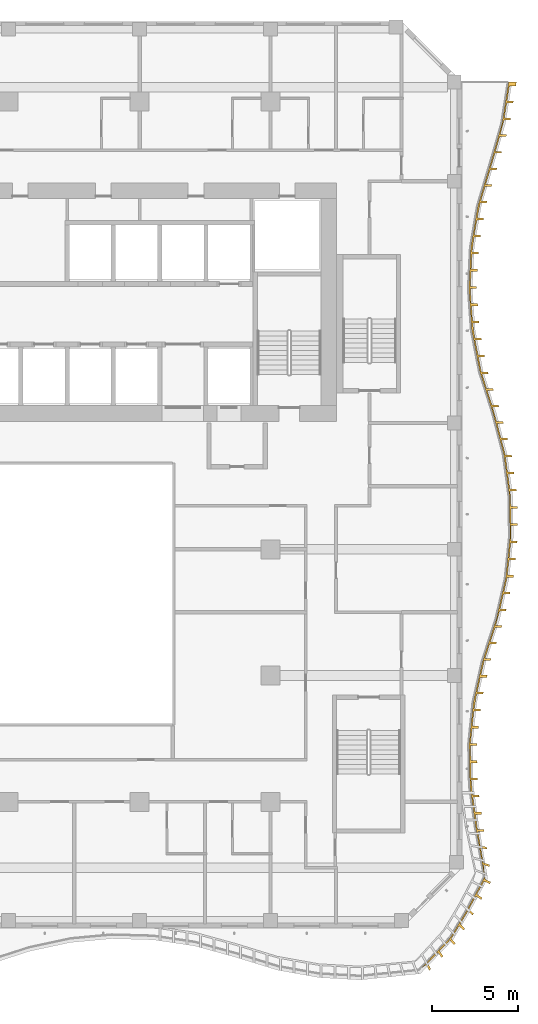
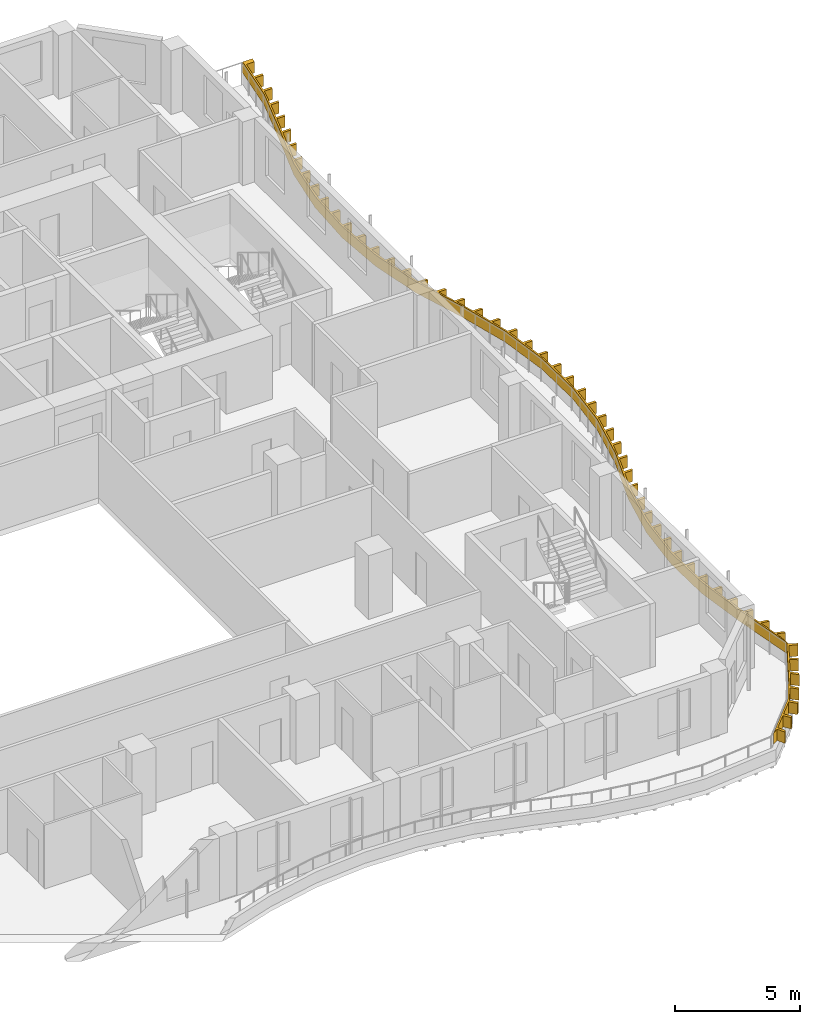
# One storey, part 17 of 20: 1 shading device.
"""IFC4 building model written with IfcOpenShell, lengths in metres."""

from ifc_helpers import new_model, si_unit, direction, frame, origin, place, context, subcontext, project, spatial, polyline, outline, extrude, source, transform, mapped, material, layer, layer_set, type_object, element, save


model = new_model("IFC4")

# Units and contexts
model_context = context("Model", 3, precision=1e-05, world=origin(), true_north=direction((0.0, 1.0)))
body_context = subcontext(model_context, "Body", "Model", "MODEL_VIEW")
ifc_project = project(units=[si_unit("LENGTHUNIT", "METRE"), si_unit("AREAUNIT", "SQUARE_METRE"), si_unit("VOLUMEUNIT", "CUBIC_METRE"), si_unit("PLANEANGLEUNIT", "RADIAN"), si_unit("MASSUNIT", "GRAM", prefix="KILO")], contexts=[model_context])

# Site, building, storey
site_placement = place(None, origin())
site = spatial("IfcSite", under=ifc_project, at=site_placement, CompositionType="ELEMENT")
building_placement = place(site_placement, origin())
building = spatial("IfcBuilding", under=site, at=building_placement, Name="Kilnfold Tower and Market Hall", CompositionType="ELEMENT")
storey_placement = place(building_placement, frame((0.0, 0.0, 157.5)))
storey = spatial("IfcBuildingStorey", under=building, at=storey_placement, Name="L36", CompositionType="ELEMENT", Elevation=157.5)

# Shading device
ifc_material = material(Name="Bronze anodised aluminium", Category="aluminium")
ifc_layer = layer(ifc_material, 0.550048828125)
ifc_layer_set = layer_set([ifc_layer], Name="Bronze anodised aluminium")
shading_device_type = type_object("IfcShadingDeviceType", Name="BRONZE SLAT FASCIA 550", PredefinedType="USERDEFINED", material=ifc_layer_set)
shared_shape = source(origin(), body_context, "Body", "SweptSolid", [
    extrude(outline(polyline([(23.353759765625, -23.6923828125), (23.186279296875, -23.3662109375), (22.9296875, -23.52978515625), (24.603271484375, -21.769775390625), (25.477783203125, -20.31103515625), (26.56298828125, -18.2939453125), (26.0390625, -15.355224609375), (25.70947265625, -12.96044921875), (25.667724609375, -10.56591796875), (25.912353515625, -8.171142578125), (26.45361328125, -5.7763671875), (27.235107421875, -3.381591796875), (27.781494140625, -0.98681640625), (28.030517578125, 1.407958984375), (27.993408203125, 3.802490234375), (27.668701171875, 6.197509765625), (27.04150390625, 8.592041015625), (26.283203125, 10.98681640625), (25.82080078125, 13.381591796875), (25.6513671875, 15.7763671875), (25.76708984375, 18.171142578125), (26.17333984375, 20.56591796875), (26.887939453125, 22.96044921875), (27.57470703125, 25.355224609375), (27.95458984375, 27.75), (28.40478515625, 27.75), (28.3681640625, 27.520263671875), (27.998291015625, 27.520263671875), (27.8603515625, 26.65087890625), (28.230224609375, 26.65087890625), (28.21142578125, 26.532470703125), (27.841552734375, 26.532470703125), (27.70361328125, 25.663330078125), (28.073486328125, 25.663330078125), (28.0546875, 25.544921875), (27.684814453125, 25.544921875), (27.465087890625, 24.69384765625), (27.8349609375, 24.69384765625), (27.802001953125, 24.57861328125), (27.431884765625, 24.57861328125), (27.189208984375, 23.732666015625), (27.559326171875, 23.732666015625), (27.5263671875, 23.6171875), (27.15625, 23.6171875), (26.91162109375, 22.77197265625), (27.28173828125, 22.77197265625), (27.247314453125, 22.656982421875), (26.877197265625, 22.656982421875), (26.625732421875, 21.813720703125), (26.99560546875, 21.813720703125), (26.96142578125, 21.69873046875), (26.59130859375, 21.69873046875), (26.33984375, 20.85546875), (26.709716796875, 20.85546875), (26.67529296875, 20.740478515625), (26.305419921875, 20.740478515625), (26.13671875, 19.8779296875), (26.506591796875, 19.8779296875), (26.486572265625, 19.759765625), (26.11669921875, 19.759765625), (25.969482421875, 18.89208984375), (26.33935546875, 18.89208984375), (26.3193359375, 18.773681640625), (25.94921875, 18.773681640625), (25.833984375, 17.902587890625), (26.2041015625, 17.902587890625), (26.1982421875, 17.78271484375), (25.828369140625, 17.78271484375), (25.785888671875, 16.90380859375), (26.15576171875, 16.90380859375), (26.14990234375, 16.783935546875), (25.780029296875, 16.783935546875), (25.737548828125, 15.905029296875), (26.107421875, 15.905029296875), (26.101806640625, 15.78515625), (25.731689453125, 15.78515625), (25.792724609375, 14.9072265625), (26.162841796875, 14.9072265625), (26.17138671875, 14.78759765625), (25.80126953125, 14.78759765625), (25.86328125, 13.909912109375), (26.2333984375, 13.909912109375), (26.241943359375, 13.7900390625), (25.871826171875, 13.7900390625), (25.989990234375, 12.919677734375), (26.360107421875, 12.919677734375), (26.3828125, 12.8017578125), (26.0126953125, 12.8017578125), (26.1796875, 11.937744140625), (26.549560546875, 11.937744140625), (26.572265625, 11.820068359375), (26.202392578125, 11.820068359375), (26.372802734375, 10.956787109375), (26.74267578125, 10.956787109375), (26.77880859375, 10.84228515625), (26.408935546875, 10.84228515625), (26.674560546875, 10.00341796875), (27.044677734375, 10.00341796875), (27.080810546875, 9.88916015625), (26.710693359375, 9.88916015625), (26.9765625, 9.050048828125), (27.346435546875, 9.050048828125), (27.3828125, 8.935791015625), (27.0126953125, 8.935791015625), (27.253173828125, 8.089599609375), (27.623046875, 8.089599609375), (27.653564453125, 7.973388671875), (27.283447265625, 7.973388671875), (27.506591796875, 7.1220703125), (27.87646484375, 7.1220703125), (27.906982421875, 7.006103515625), (27.536865234375, 7.006103515625), (27.754638671875, 6.15380859375), (28.12451171875, 6.15380859375), (28.140625, 6.034912109375), (27.770751953125, 6.034912109375), (27.888916015625, 5.162841796875), (28.259033203125, 5.162841796875), (28.275146484375, 5.0439453125), (27.905029296875, 5.0439453125), (28.0234375, 4.171875), (28.393310546875, 4.171875), (28.409423828125, 4.052978515625), (28.03955078125, 4.052978515625), (28.083251953125, 3.17529296875), (28.453125, 3.17529296875), (28.455078125, 3.055419921875), (28.0849609375, 3.055419921875), (28.0986328125, 2.175537109375), (28.468505859375, 2.175537109375), (28.470458984375, 2.055419921875), (28.1005859375, 2.055419921875), (28.08642578125, 1.1767578125), (28.45654296875, 1.1767578125), (28.444091796875, 1.057373046875), (28.073974609375, 1.057373046875), (27.98291015625, 0.18212890625), (28.35302734375, 0.18212890625), (28.340576171875, 0.062744140625), (27.970703125, 0.062744140625), (27.87939453125, -0.8125), (28.24951171875, -0.8125), (28.237060546875, -0.931884765625), (27.8671875, -0.931884765625), (27.677978515625, -1.791015625), (28.048095703125, -1.791015625), (28.021240234375, -1.907958984375), (27.6513671875, -1.907958984375), (27.45556640625, -2.765869140625), (27.82568359375, -2.765869140625), (27.798828125, -2.8828125), (27.428955078125, -2.8828125), (27.20068359375, -3.731689453125), (27.57080078125, -3.731689453125), (27.53369140625, -3.845947265625), (27.16357421875, -3.845947265625), (26.890625, -4.6826171875), (27.260498046875, -4.6826171875), (27.223388671875, -4.796630859375), (26.853271484375, -4.796630859375), (26.580322265625, -5.633056640625), (26.9501953125, -5.633056640625), (26.9130859375, -5.747314453125), (26.543212890625, -5.747314453125), (26.34619140625, -6.604736328125), (26.71630859375, -6.604736328125), (26.68994140625, -6.721923828125), (26.31982421875, -6.721923828125), (26.1259765625, -7.580078125), (26.495849609375, -7.580078125), (26.469482421875, -7.697265625), (26.099365234375, -7.697265625), (25.952392578125, -8.563232421875), (26.322265625, -8.563232421875), (26.31005859375, -8.6826171875), (25.940185546875, -8.6826171875), (25.8505859375, -9.55810546875), (26.220703125, -9.55810546875), (26.20849609375, -9.677490234375), (25.83837890625, -9.677490234375), (25.7490234375, -10.552978515625), (26.119140625, -10.552978515625), (26.11962890625, -10.6728515625), (25.749755859375, -10.6728515625), (25.764892578125, -11.552734375), (26.135009765625, -11.552734375), (26.136962890625, -11.672607421875), (25.76708984375, -11.672607421875), (25.7822265625, -12.552490234375), (26.15234375, -12.552490234375), (26.154296875, -12.672607421875), (25.784423828125, -12.672607421875), (25.8701171875, -13.547119140625), (26.239990234375, -13.547119140625), (26.256591796875, -13.665771484375), (25.886474609375, -13.665771484375), (26.006591796875, -14.53759765625), (26.37646484375, -14.53759765625), (26.392822265625, -14.656494140625), (26.022705078125, -14.656494140625), (26.148193359375, -15.52490234375), (26.51708984375, -15.532958984375), (26.5361328125, -15.655029296875), (26.168212890625, -15.641357421875), (26.31591796875, -16.49560546875), (26.67724609375, -16.55029296875), (26.6962890625, -16.67236328125), (26.336181640625, -16.612060546875), (26.485595703125, -17.46630859375), (26.83740234375, -17.567626953125), (26.856689453125, -17.689697265625), (26.506103515625, -17.5830078125), (26.58203125, -18.425048828125), (26.92041015625, -18.572998046875), (26.860595703125, -18.6826171875), (26.52587890625, -18.528564453125), (26.114990234375, -19.286865234375), (26.4208984375, -19.486083984375), (26.361083984375, -19.595703125), (26.05908203125, -19.39013671875), (25.650634765625, -20.150146484375), (25.92138671875, -20.399658203125), (25.861572265625, -20.50927734375), (25.59521484375, -20.25390625), (25.1494140625, -21.009521484375), (25.410888671875, -21.271240234375), (25.349365234375, -21.374267578125), (25.087646484375, -21.112548828125), (24.627197265625, -21.860107421875), (24.88671875, -22.123291015625), (24.800048828125, -22.212158203125), (24.54541015625, -21.9453125), (23.946533203125, -22.569580078125), (24.163818359375, -22.863525390625), (24.076904296875, -22.952392578125), (23.864990234375, -22.65478515625), (23.267578125, -23.280517578125), (23.4404296875, -23.603759765625), (23.353759765625, -23.6923828125)])), origin(), (0.0, 0.0, 1.0), 0.550048828125),
])
shading_device_placement = place(storey_placement, frame((0.0, 0.0, 0.550048828125)))
element("IfcShadingDevice", 1, at=shading_device_placement, inside=storey, type_object=shading_device_type, Name="Balcony slat fascia L36", ObjectType="SLAT", PredefinedType="USERDEFINED", context=body_context, shape_type="MappedRepresentation", body=[
    mapped(shared_shape, transform((0.0, 0.0, 0.0))),
])

save(model, "model.ifc")
